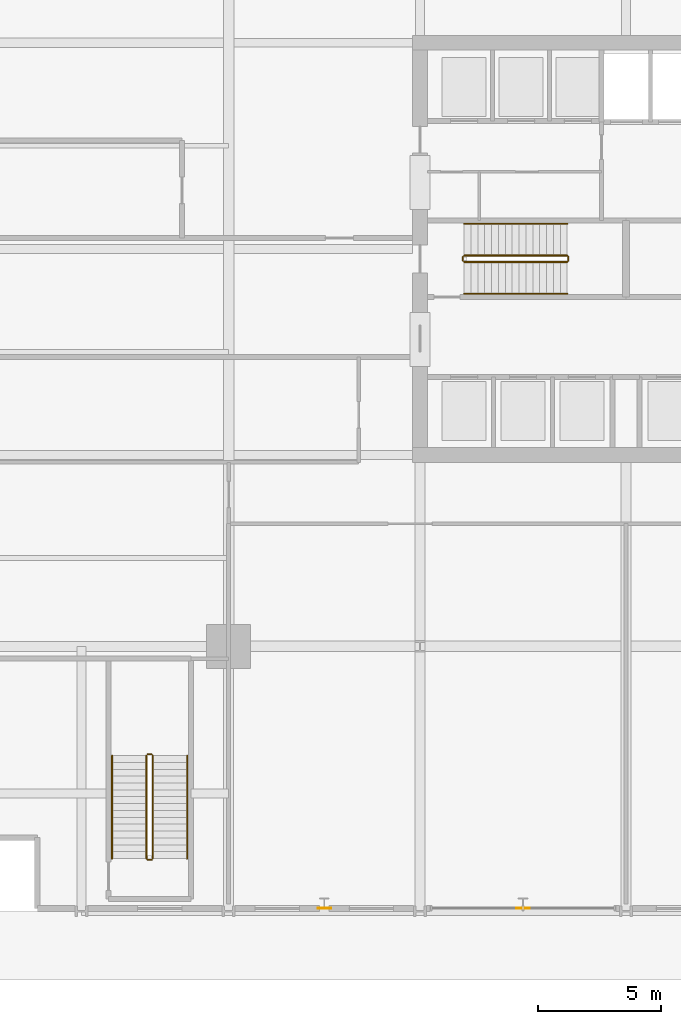
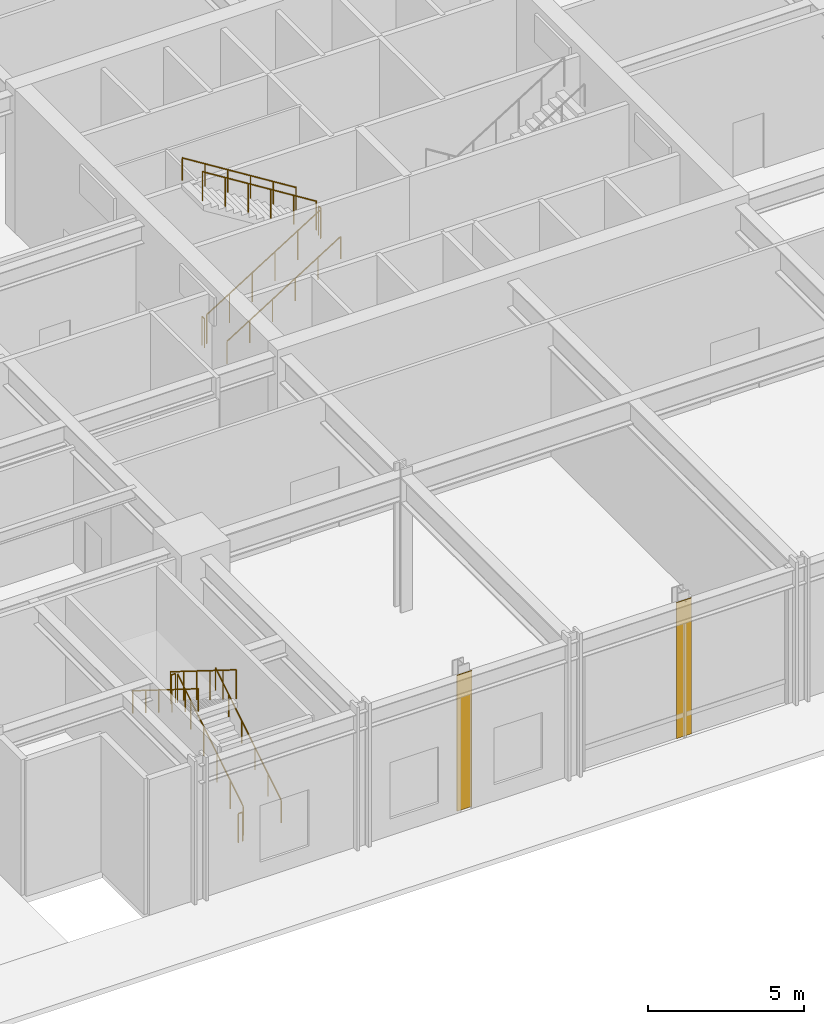
# One storey, part 16 of 21: 12 railings, 2 coverings.
"""IFC4 building model written with IfcOpenShell, lengths in metres."""

from ifc_helpers import new_model, si_unit, direction, frame, origin, origin_2d, place, context, subcontext, project, spatial, rectangle, circle, extrude, material, layer, layer_set, type_object, element, save


model = new_model("IFC4")

# Units and contexts
model_context = context("Model", 3, precision=1e-05, world=origin(), true_north=direction((0.0, 1.0)))
body_context = subcontext(model_context, "Body", "Model", "MODEL_VIEW")
ifc_project = project(units=[si_unit("LENGTHUNIT", "METRE"), si_unit("AREAUNIT", "SQUARE_METRE"), si_unit("VOLUMEUNIT", "CUBIC_METRE"), si_unit("PLANEANGLEUNIT", "RADIAN"), si_unit("MASSUNIT", "GRAM", prefix="KILO")], contexts=[model_context])

# Site, building, storey
site_placement = place(None, origin())
site = spatial("IfcSite", under=ifc_project, at=site_placement, CompositionType="ELEMENT")
building_placement = place(site_placement, origin())
building = spatial("IfcBuilding", under=site, at=building_placement, Name="Drelvath Grand Hotel", CompositionType="ELEMENT")
storey_placement = place(building_placement, origin())
storey = spatial("IfcBuildingStorey", under=building, at=storey_placement, Name="L00", CompositionType="ELEMENT", Elevation=0.0)

# Coverings
ifc_material_1 = material(Name="Warm Bronze Anodised Aluminium Cladding", Category="aluminium")
ifc_layer = layer(ifc_material_1, 0.034912109375)
ifc_layer_set = layer_set([ifc_layer], Name="Warm Bronze Anodised Aluminium Cladding")
covering_type = type_object("IfcCoveringType", Name="Bronze Anodised Pier Cladding Panel 35", PredefinedType="CLADDING", material=ifc_layer_set)
for number, where, z_axis, x_axis, name in (
    (1, (-12.300048828125, 0.1201171875, 0.0), (0.0, 0.0, 1.0), (1.0, 0.0, 0.0), "L00 Colonnade Bronze Pier Cladding S1"),
    (2, (-4.199951171875, 0.1201171875, 0.0), (0.0, 0.0, 1.0), (1.0, 0.0, 0.0), "L00 Colonnade Bronze Pier Cladding S2"),
):
    element("IfcCovering", number, at=place(storey_placement, frame(where, z_axis=z_axis, x_axis=x_axis)), inside=storey, type_object=covering_type, Name=name, PredefinedType="CLADDING", context=body_context, shape_type="SweptSolid", body=[
        extrude(rectangle(XDim=0.550048828125, YDim=0.034912109375, at=origin_2d()), origin(), (0.0, 0.0, 1.0), 5.300048828125),
    ])

# Railings
ifc_material_2 = material(Name="Painted Steel S275", Category="steel")
railing_type_1 = type_object("IfcRailingType", Name="Core Stair Wall Handrail 900", PredefinedType="HANDRAIL", material=ifc_material_2)
railing_1_placement = place(storey_placement, frame((-6.60009765625, 25.169921875, 0.175048828125)))
element("IfcRailing", 3, at=railing_1_placement, inside=storey, type_object=railing_type_1, Name="L00 ST-1 stair handrail 1", PredefinedType="HANDRAIL", context=body_context, shape_type="SweptSolid", body=[
    extrude(circle(Radius=0.02392578125, at=origin_2d()), frame((0.0, 0.0, 0.8759765625), z_axis=(0.848009380541, 0.0, 0.529981217134), x_axis=(0.0, 1.0, 0.0)), (0.0, 0.0, 1.0), 4.953125),
    extrude(circle(Radius=0.02099609375, at=origin_2d()), origin(), (0.0, 0.0, 1.0), 0.851806640625),
    extrude(circle(Radius=0.02099609375, at=origin_2d()), frame((0.840087890625, 0.0, 0.52490234375)), (0.0, 0.0, 1.0), 0.851806640625),
    extrude(circle(Radius=0.02099609375, at=origin_2d()), frame((1.68017578125, 0.0, 1.050048828125)), (0.0, 0.0, 1.0), 0.851806640625),
    extrude(circle(Radius=0.02099609375, at=origin_2d()), frame((2.52001953125, 0.0, 1.574951171875)), (0.0, 0.0, 1.0), 0.851806640625),
    extrude(circle(Radius=0.02099609375, at=origin_2d()), frame((3.360107421875, 0.0, 2.10009765625)), (0.0, 0.0, 1.0), 0.851806640625),
    extrude(circle(Radius=0.02099609375, at=origin_2d()), frame((4.2001953125, 0.0, 2.625)), (0.0, 0.0, 1.0), 0.851806640625),
])
railing_2_placement = place(storey_placement, frame((-2.39990234375, 28.030029296875, 2.97509765625)))
element("IfcRailing", 4, at=railing_2_placement, inside=storey, type_object=railing_type_1, Name="L00 ST-1 stair handrail 2", PredefinedType="HANDRAIL", context=body_context, shape_type="SweptSolid", body=[
    extrude(circle(Radius=0.02392578125, at=origin_2d()), frame((0.0, 0.0, 0.8759765625), z_axis=(-0.848009380541, 0.0, 0.529981217134), x_axis=(0.0, -1.0, 0.0)), (0.0, 0.0, 1.0), 4.953125),
    extrude(circle(Radius=0.02099609375, at=origin_2d()), origin(), (0.0, 0.0, 1.0), 0.851806640625),
    extrude(circle(Radius=0.02099609375, at=origin_2d()), frame((-0.840087890625, 0.0, 0.52490234375)), (0.0, 0.0, 1.0), 0.851806640625),
    extrude(circle(Radius=0.02099609375, at=origin_2d()), frame((-1.68017578125, 0.0, 1.050048828125)), (0.0, 0.0, 1.0), 0.851806640625),
    extrude(circle(Radius=0.02099609375, at=origin_2d()), frame((-2.52001953125, 0.0, 1.574951171875)), (0.0, 0.0, 1.0), 0.851806640625),
    extrude(circle(Radius=0.02099609375, at=origin_2d()), frame((-3.360107421875, 0.0, 2.10009765625)), (0.0, 0.0, 1.0), 0.851806640625),
    extrude(circle(Radius=0.02099609375, at=origin_2d()), frame((-4.2001953125, 0.0, 2.625)), (0.0, 0.0, 1.0), 0.851806640625),
])
railing_3_placement = place(storey_placement, frame((-17.889892578125, 2.14990234375, 0.175048828125)))
element("IfcRailing", 5, at=railing_3_placement, inside=storey, type_object=railing_type_1, Name="L00 ST-3 stair handrail 1", PredefinedType="HANDRAIL", context=body_context, shape_type="SweptSolid", body=[
    extrude(circle(Radius=0.02392578125, at=origin_2d()), frame((0.0, 0.0, 0.8759765625), z_axis=(0.0, 0.848009380541, 0.529981217134), x_axis=(-1.0, 0.0, 0.0)), (0.0, 0.0, 1.0), 4.953125),
    extrude(circle(Radius=0.02099609375, at=origin_2d()), origin(), (0.0, 0.0, 1.0), 0.851806640625),
    extrude(circle(Radius=0.02099609375, at=origin_2d()), frame((0.0, 0.840087890625, 0.52490234375)), (0.0, 0.0, 1.0), 0.851806640625),
    extrude(circle(Radius=0.02099609375, at=origin_2d()), frame((0.0, 1.68017578125, 1.050048828125)), (0.0, 0.0, 1.0), 0.851806640625),
    extrude(circle(Radius=0.02099609375, at=origin_2d()), frame((0.0, 2.52001953125, 1.574951171875)), (0.0, 0.0, 1.0), 0.851806640625),
    extrude(circle(Radius=0.02099609375, at=origin_2d()), frame((0.0, 3.360107421875, 2.10009765625)), (0.0, 0.0, 1.0), 0.851806640625),
    extrude(circle(Radius=0.02099609375, at=origin_2d()), frame((0.0, 4.2001953125, 2.625)), (0.0, 0.0, 1.0), 0.851806640625),
])
railing_4_placement = place(storey_placement, frame((-20.949951171875, 6.35009765625, 2.97509765625)))
element("IfcRailing", 6, at=railing_4_placement, inside=storey, type_object=railing_type_1, Name="L00 ST-3 stair handrail 2", PredefinedType="HANDRAIL", context=body_context, shape_type="SweptSolid", body=[
    extrude(circle(Radius=0.02392578125, at=origin_2d()), frame((0.0, 0.0, 0.8759765625), z_axis=(0.0, -0.848009380541, 0.529981217134), x_axis=(1.0, 0.0, 0.0)), (0.0, 0.0, 1.0), 4.953125),
    extrude(circle(Radius=0.02099609375, at=origin_2d()), origin(), (0.0, 0.0, 1.0), 0.851806640625),
    extrude(circle(Radius=0.02099609375, at=origin_2d()), frame((0.0, -0.840087890625, 0.52490234375)), (0.0, 0.0, 1.0), 0.851806640625),
    extrude(circle(Radius=0.02099609375, at=origin_2d()), frame((0.0, -1.68017578125, 1.050048828125)), (0.0, 0.0, 1.0), 0.851806640625),
    extrude(circle(Radius=0.02099609375, at=origin_2d()), frame((0.0, -2.52001953125, 1.574951171875)), (0.0, 0.0, 1.0), 0.851806640625),
    extrude(circle(Radius=0.02099609375, at=origin_2d()), frame((0.0, -3.360107421875, 2.10009765625)), (0.0, 0.0, 1.0), 0.851806640625),
    extrude(circle(Radius=0.02099609375, at=origin_2d()), frame((0.0, -4.2001953125, 2.625)), (0.0, 0.0, 1.0), 0.851806640625),
])
railing_type_2 = type_object("IfcRailingType", Name="Core Stair Well Guardrail 1100", PredefinedType="GUARDRAIL", material=ifc_material_2)
railing_5_placement = place(storey_placement, frame((-6.60009765625, 26.469970703125, 0.175048828125)))
element("IfcRailing", 7, at=railing_5_placement, inside=storey, type_object=railing_type_2, Name="L00 ST-1 stair guard 1", PredefinedType="GUARDRAIL", context=body_context, shape_type="SweptSolid", body=[
    extrude(circle(Radius=0.02392578125, at=origin_2d()), frame((0.0, 0.0, 1.1259765625), z_axis=(0.848009380541, 0.0, 0.529981217134), x_axis=(0.0, 1.0, 0.0)), (0.0, 0.0, 1.0), 4.953125),
    extrude(circle(Radius=0.02099609375, at=origin_2d()), origin(), (0.0, 0.0, 1.0), 1.101806640625),
    extrude(circle(Radius=0.02099609375, at=origin_2d()), frame((0.840087890625, 0.0, 0.52490234375)), (0.0, 0.0, 1.0), 1.101806640625),
    extrude(circle(Radius=0.02099609375, at=origin_2d()), frame((1.68017578125, 0.0, 1.050048828125)), (0.0, 0.0, 1.0), 1.101806640625),
    extrude(circle(Radius=0.02099609375, at=origin_2d()), frame((2.52001953125, 0.0, 1.574951171875)), (0.0, 0.0, 1.0), 1.101806640625),
    extrude(circle(Radius=0.02099609375, at=origin_2d()), frame((3.360107421875, 0.0, 2.10009765625)), (0.0, 0.0, 1.0), 1.101806640625),
    extrude(circle(Radius=0.02099609375, at=origin_2d()), frame((4.2001953125, 0.0, 2.625)), (0.0, 0.0, 1.0), 1.101806640625),
])
railing_6_placement = place(storey_placement, frame((-2.35009765625, 26.52001953125, 2.800048828125)))
element("IfcRailing", 8, at=railing_6_placement, inside=storey, type_object=railing_type_2, Name="L00 ST-1 stair guard 2", PredefinedType="GUARDRAIL", context=body_context, shape_type="SweptSolid", body=[
    extrude(circle(Radius=0.02392578125, at=origin_2d()), frame((0.0, 0.0, 1.1259765625), z_axis=(0.0, 1.0, 0.0), x_axis=(-1.0, 0.0, 0.0)), (0.0, 0.0, 1.0), 0.159912109375),
    extrude(circle(Radius=0.02099609375, at=origin_2d()), origin(), (0.0, 0.0, 1.0), 1.101806640625),
    extrude(circle(Radius=0.02099609375, at=origin_2d()), frame((0.0, 0.159912109375, 0.0)), (0.0, 0.0, 1.0), 1.101806640625),
])
railing_7_placement = place(storey_placement, frame((-2.39990234375, 26.72998046875, 2.97509765625)))
element("IfcRailing", 9, at=railing_7_placement, inside=storey, type_object=railing_type_2, Name="L00 ST-1 stair guard 3", PredefinedType="GUARDRAIL", context=body_context, shape_type="SweptSolid", body=[
    extrude(circle(Radius=0.02392578125, at=origin_2d()), frame((0.0, 0.0, 1.1259765625), z_axis=(-0.848009380541, 0.0, 0.529981217134), x_axis=(0.0, -1.0, 0.0)), (0.0, 0.0, 1.0), 4.953125),
    extrude(circle(Radius=0.02099609375, at=origin_2d()), origin(), (0.0, 0.0, 1.0), 1.101806640625),
    extrude(circle(Radius=0.02099609375, at=origin_2d()), frame((-0.840087890625, 0.0, 0.52490234375)), (0.0, 0.0, 1.0), 1.101806640625),
    extrude(circle(Radius=0.02099609375, at=origin_2d()), frame((-1.68017578125, 0.0, 1.050048828125)), (0.0, 0.0, 1.0), 1.101806640625),
    extrude(circle(Radius=0.02099609375, at=origin_2d()), frame((-2.52001953125, 0.0, 1.574951171875)), (0.0, 0.0, 1.0), 1.101806640625),
    extrude(circle(Radius=0.02099609375, at=origin_2d()), frame((-3.360107421875, 0.0, 2.10009765625)), (0.0, 0.0, 1.0), 1.101806640625),
    extrude(circle(Radius=0.02099609375, at=origin_2d()), frame((-4.2001953125, 0.0, 2.625)), (0.0, 0.0, 1.0), 1.101806640625),
])
railing_8_placement = place(storey_placement, frame((-6.64990234375, 26.52001953125, 0.0)))
element("IfcRailing", 10, at=railing_8_placement, inside=storey, type_object=railing_type_2, Name="L00 ST-1 stair guard 4", PredefinedType="GUARDRAIL", context=body_context, shape_type="SweptSolid", body=[
    extrude(circle(Radius=0.02392578125, at=origin_2d()), frame((0.0, 0.0, 1.1259765625), z_axis=(0.0, 1.0, 0.0), x_axis=(-1.0, 0.0, 0.0)), (0.0, 0.0, 1.0), 0.159912109375),
    extrude(circle(Radius=0.02099609375, at=origin_2d()), origin(), (0.0, 0.0, 1.0), 1.101806640625),
    extrude(circle(Radius=0.02099609375, at=origin_2d()), frame((0.0, 0.159912109375, 0.0)), (0.0, 0.0, 1.0), 1.101806640625),
])
railing_9_placement = place(storey_placement, frame((-19.2900390625, 2.14990234375, 0.175048828125)))
element("IfcRailing", 11, at=railing_9_placement, inside=storey, type_object=railing_type_2, Name="L00 ST-3 stair guard 1", PredefinedType="GUARDRAIL", context=body_context, shape_type="SweptSolid", body=[
    extrude(circle(Radius=0.02392578125, at=origin_2d()), frame((0.0, 0.0, 1.1259765625), z_axis=(0.0, 0.848009380541, 0.529981217134), x_axis=(-1.0, 0.0, 0.0)), (0.0, 0.0, 1.0), 4.953125),
    extrude(circle(Radius=0.02099609375, at=origin_2d()), origin(), (0.0, 0.0, 1.0), 1.101806640625),
    extrude(circle(Radius=0.02099609375, at=origin_2d()), frame((0.0, 0.840087890625, 0.52490234375)), (0.0, 0.0, 1.0), 1.101806640625),
    extrude(circle(Radius=0.02099609375, at=origin_2d()), frame((0.0, 1.68017578125, 1.050048828125)), (0.0, 0.0, 1.0), 1.101806640625),
    extrude(circle(Radius=0.02099609375, at=origin_2d()), frame((0.0, 2.52001953125, 1.574951171875)), (0.0, 0.0, 1.0), 1.101806640625),
    extrude(circle(Radius=0.02099609375, at=origin_2d()), frame((0.0, 3.360107421875, 2.10009765625)), (0.0, 0.0, 1.0), 1.101806640625),
    extrude(circle(Radius=0.02099609375, at=origin_2d()), frame((0.0, 4.2001953125, 2.625)), (0.0, 0.0, 1.0), 1.101806640625),
])
railing_10_placement = place(storey_placement, frame((-19.340087890625, 6.39990234375, 2.800048828125)))
element("IfcRailing", 12, at=railing_10_placement, inside=storey, type_object=railing_type_2, Name="L00 ST-3 stair guard 2", PredefinedType="GUARDRAIL", context=body_context, shape_type="SweptSolid", body=[
    extrude(circle(Radius=0.02392578125, at=origin_2d()), frame((0.0, 0.0, 1.1259765625), z_axis=(-1.0, 0.0, 0.0), x_axis=(0.0, -1.0, 0.0)), (0.0, 0.0, 1.0), 0.159912109375),
    extrude(circle(Radius=0.02099609375, at=origin_2d()), origin(), (0.0, 0.0, 1.0), 1.101806640625),
    extrude(circle(Radius=0.02099609375, at=origin_2d()), frame((-0.159912109375, 0.0, 0.0)), (0.0, 0.0, 1.0), 1.101806640625),
])
railing_11_placement = place(storey_placement, frame((-19.550048828125, 6.35009765625, 2.97509765625)))
element("IfcRailing", 13, at=railing_11_placement, inside=storey, type_object=railing_type_2, Name="L00 ST-3 stair guard 3", PredefinedType="GUARDRAIL", context=body_context, shape_type="SweptSolid", body=[
    extrude(circle(Radius=0.02392578125, at=origin_2d()), frame((0.0, 0.0, 1.1259765625), z_axis=(0.0, -0.848009380541, 0.529981217134), x_axis=(1.0, 0.0, 0.0)), (0.0, 0.0, 1.0), 4.953125),
    extrude(circle(Radius=0.02099609375, at=origin_2d()), origin(), (0.0, 0.0, 1.0), 1.101806640625),
    extrude(circle(Radius=0.02099609375, at=origin_2d()), frame((0.0, -0.840087890625, 0.52490234375)), (0.0, 0.0, 1.0), 1.101806640625),
    extrude(circle(Radius=0.02099609375, at=origin_2d()), frame((0.0, -1.68017578125, 1.050048828125)), (0.0, 0.0, 1.0), 1.101806640625),
    extrude(circle(Radius=0.02099609375, at=origin_2d()), frame((0.0, -2.52001953125, 1.574951171875)), (0.0, 0.0, 1.0), 1.101806640625),
    extrude(circle(Radius=0.02099609375, at=origin_2d()), frame((0.0, -3.360107421875, 2.10009765625)), (0.0, 0.0, 1.0), 1.101806640625),
    extrude(circle(Radius=0.02099609375, at=origin_2d()), frame((0.0, -4.2001953125, 2.625)), (0.0, 0.0, 1.0), 1.101806640625),
])
railing_12_placement = place(storey_placement, frame((-19.340087890625, 2.10009765625, 0.0)))
element("IfcRailing", 14, at=railing_12_placement, inside=storey, type_object=railing_type_2, Name="L00 ST-3 stair guard 4", PredefinedType="GUARDRAIL", context=body_context, shape_type="SweptSolid", body=[
    extrude(circle(Radius=0.02392578125, at=origin_2d()), frame((0.0, 0.0, 1.1259765625), z_axis=(-1.0, 0.0, 0.0), x_axis=(0.0, -1.0, 0.0)), (0.0, 0.0, 1.0), 0.159912109375),
    extrude(circle(Radius=0.02099609375, at=origin_2d()), origin(), (0.0, 0.0, 1.0), 1.101806640625),
    extrude(circle(Radius=0.02099609375, at=origin_2d()), frame((-0.159912109375, 0.0, 0.0)), (0.0, 0.0, 1.0), 1.101806640625),
])

save(model, "model.ifc")
